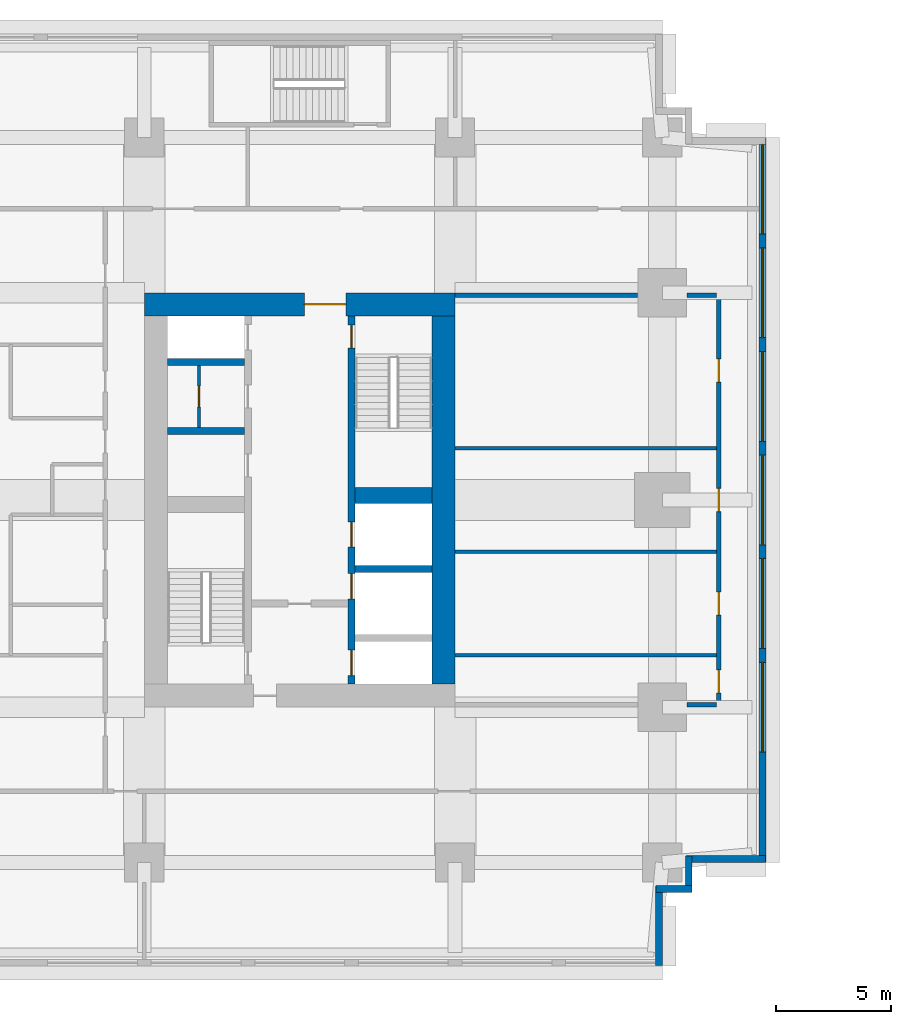
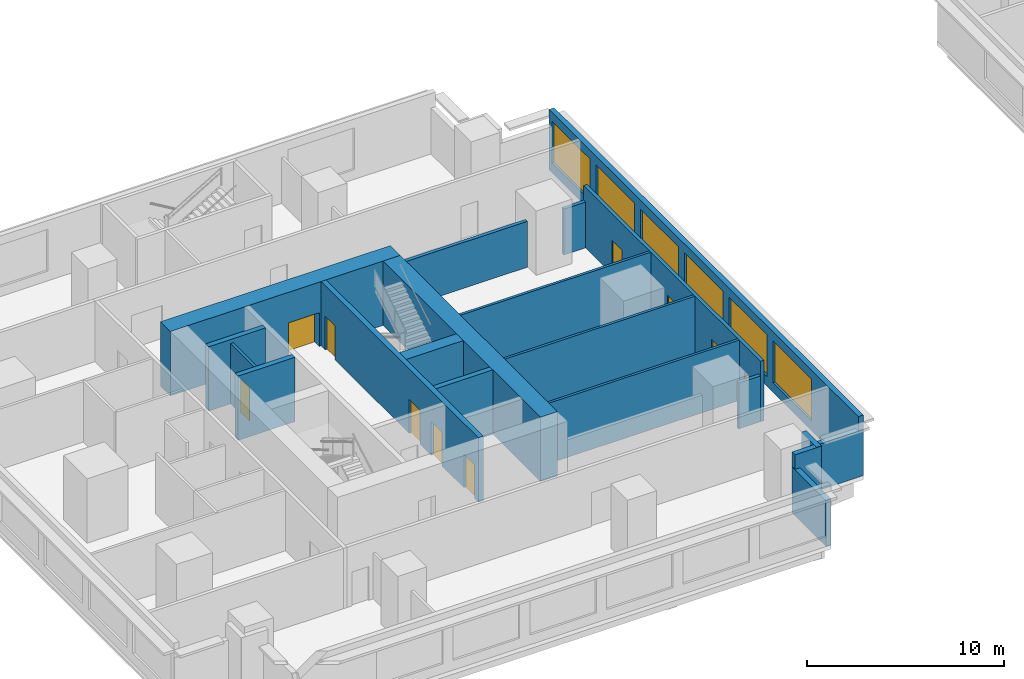
# One storey, part 4 of 10: 20 walls, 10 doors, 6 windows, 16 openings.
"""IFC4 building model written with IfcOpenShell, lengths in metres."""

from ifc_helpers import new_model, si_unit, direction, frame, frame_2d, origin, place, context, subcontext, project, spatial, rectangle, extrude, material, layer, layer_set, type_object, element, fill, save


model = new_model("IFC4")

# Units and contexts
model_context = context("Model", 3, precision=1e-05, world=origin(), true_north=direction((0.0, 1.0)))
body_context = subcontext(model_context, "Body", "Model", "MODEL_VIEW")
ifc_project = project(units=[si_unit("LENGTHUNIT", "METRE"), si_unit("AREAUNIT", "SQUARE_METRE"), si_unit("VOLUMEUNIT", "CUBIC_METRE"), si_unit("PLANEANGLEUNIT", "RADIAN"), si_unit("MASSUNIT", "GRAM", prefix="KILO")], contexts=[model_context])

# Site, building, storey
site_placement = place(None, origin())
site = spatial("IfcSite", under=ifc_project, at=site_placement, CompositionType="ELEMENT")
building_placement = place(site_placement, origin())
building = spatial("IfcBuilding", under=site, at=building_placement, Name="Namib Vertical Campus", CompositionType="ELEMENT")
storey_placement = place(building_placement, frame((0.0, 0.0, 157.0)))
storey = spatial("IfcBuildingStorey", under=building, at=storey_placement, Name="L37", CompositionType="ELEMENT", Elevation=157.0)

# Wall, openings, doors
ifc_material_1 = material(Name="Concrete C60/75", Category="concrete")
ifc_layer_1 = layer(ifc_material_1, 0.300048828125)
ifc_layer_set_1 = layer_set([ifc_layer_1], Name="Concrete C60/75")
wall_type_1 = type_object("IfcWallType", Name="Core inner wall 300", PredefinedType="SHEAR", material=ifc_layer_set_1)
wall_1_placement = place(storey_placement, frame((22.5, 12.25, 0.0), z_axis=(0.0, 0.0, 1.0), x_axis=(0.0, 1.0, 0.0)))
wall_1 = element("IfcWall", 1, at=wall_1_placement, inside=storey, type_object=wall_type_1, Name="Core inner wall A L37 W2", PredefinedType="SHEAR", context=body_context, shape_type="SweptSolid", body=[
    extrude(rectangle(XDim=16.0, YDim=0.300048828125, at=frame_2d((8.0, 0.0))), origin(), (0.0, 0.0, 1.0), 4.0),
])
opening_1_placement = place(wall_1_placement, frame((14.60009765625, 0.0, 0.0)))
opening_1 = element("IfcOpeningElement", 2, at=opening_1_placement, cuts=wall_1, Name="Opening FD1", PredefinedType="OPENING", context=body_context, shape_type="SweptSolid", body=[
    extrude(rectangle(XDim=1.0, YDim=2.10009765625, at=frame_2d((0.5, 1.050048828125))), frame((0.0, 0.159912109375, 0.0), z_axis=(0.0, -1.0, 0.0), x_axis=(1.0, 0.0, 0.0)), (0.0, 0.0, 1.0), 0.320068359375),
])
opening_2_placement = place(wall_1_placement, frame((0.375, 0.0, 0.0)))
opening_2 = element("IfcOpeningElement", 3, at=opening_2_placement, cuts=wall_1, Name="Opening LD1", PredefinedType="OPENING", context=body_context, shape_type="SweptSolid", body=[
    extrude(rectangle(XDim=1.10009765625, YDim=2.10009765625, at=frame_2d((0.550048828125, 1.050048828125))), frame((0.0, 0.159912109375, 0.0), z_axis=(0.0, -1.0, 0.0), x_axis=(1.0, 0.0, 0.0)), (0.0, 0.0, 1.0), 0.320068359375),
])
opening_3_placement = place(wall_1_placement, frame((3.699951171875, 0.0, 0.0)))
opening_3 = element("IfcOpeningElement", 4, at=opening_3_placement, cuts=wall_1, Name="Opening LD1", PredefinedType="OPENING", context=body_context, shape_type="SweptSolid", body=[
    extrude(rectangle(XDim=1.10009765625, YDim=2.10009765625, at=frame_2d((0.550048828125, 1.050048828125))), frame((0.0, 0.159912109375, 0.0), z_axis=(0.0, -1.0, 0.0), x_axis=(1.0, 0.0, 0.0)), (0.0, 0.0, 1.0), 0.320068359375),
])
opening_4_placement = place(wall_1_placement, frame((5.949951171875, 0.0, 0.0)))
opening_4 = element("IfcOpeningElement", 5, at=opening_4_placement, cuts=wall_1, Name="Opening LD1", PredefinedType="OPENING", context=body_context, shape_type="SweptSolid", body=[
    extrude(rectangle(XDim=1.10009765625, YDim=2.10009765625, at=frame_2d((0.550048828125, 1.050048828125))), frame((0.0, 0.159912109375, 0.0), z_axis=(0.0, -1.0, 0.0), x_axis=(1.0, 0.0, 0.0)), (0.0, 0.0, 1.0), 0.320068359375),
])
ifc_material_2 = material(Name="Steel fire door", Category="steel")
door_type_1 = type_object("IfcDoorType", Name="Fire door 1000x2100", OperationType="SINGLE_SWING_RIGHT", PredefinedType="DOOR", material=ifc_material_2)
door_1_placement = place(opening_1_placement, frame((1.0, 0.0, 0.0), z_axis=(0.0, 0.0, 1.0), x_axis=(-1.0, 0.0, 0.0)))
door_1 = element("IfcDoor", 6, at=door_1_placement, inside=storey, type_object=door_type_1, Name="Stair door FD1 A L37 S2", OperationType="SINGLE_SWING_LEFT", OverallHeight=2.10009765625, OverallWidth=1.0, PredefinedType="DOOR", context=body_context, shape_type="SweptSolid", body=[
    extrude(rectangle(XDim=1.0, YDim=2.10009765625, at=frame_2d((0.5, 1.050048828125))), frame((0.0, 0.02490234375, 0.0), z_axis=(0.0, -1.0, 0.0), x_axis=(1.0, 0.0, 0.0)), (0.0, 0.0, 1.0), 0.050048828125),
])
fill(opening_1, door_1)
ifc_material_3 = material(Name="Stainless steel lift door", Category="steel")
door_type_2 = type_object("IfcDoorType", Name="Lift landing door 1100x2100", OperationType="DOUBLE_DOOR_SLIDING", PredefinedType="DOOR", material=ifc_material_3)
door_2_placement = place(opening_2_placement, origin())
door_2 = element("IfcDoor", 7, at=door_2_placement, inside=storey, type_object=door_type_2, Name="Lift landing door LD1 A-FL1 L37", OperationType="DOUBLE_DOOR_SLIDING", OverallHeight=2.10009765625, OverallWidth=1.10009765625, PredefinedType="DOOR", context=body_context, shape_type="SweptSolid", body=[
    extrude(rectangle(XDim=1.10009765625, YDim=2.10009765625, at=frame_2d((0.550048828125, 1.050048828125))), frame((0.0, 0.02490234375, 0.0), z_axis=(0.0, -1.0, 0.0), x_axis=(1.0, 0.0, 0.0)), (0.0, 0.0, 1.0), 0.050048828125),
])
fill(opening_2, door_2)
door_3_placement = place(opening_3_placement, origin())
door_3 = element("IfcDoor", 8, at=door_3_placement, inside=storey, type_object=door_type_2, Name="Lift landing door LD1 A-P4 L37", OperationType="DOUBLE_DOOR_SLIDING", OverallHeight=2.10009765625, OverallWidth=1.10009765625, PredefinedType="DOOR", context=body_context, shape_type="SweptSolid", body=[
    extrude(rectangle(XDim=1.10009765625, YDim=2.10009765625, at=frame_2d((0.550048828125, 1.050048828125))), frame((0.0, 0.02490234375, 0.0), z_axis=(0.0, -1.0, 0.0), x_axis=(1.0, 0.0, 0.0)), (0.0, 0.0, 1.0), 0.050048828125),
])
fill(opening_3, door_3)
door_4_placement = place(opening_4_placement, origin())
door_4 = element("IfcDoor", 9, at=door_4_placement, inside=storey, type_object=door_type_2, Name="Lift landing door LD1 A-P5 L37", OperationType="DOUBLE_DOOR_SLIDING", OverallHeight=2.10009765625, OverallWidth=1.10009765625, PredefinedType="DOOR", context=body_context, shape_type="SweptSolid", body=[
    extrude(rectangle(XDim=1.10009765625, YDim=2.10009765625, at=frame_2d((0.550048828125, 1.050048828125))), frame((0.0, 0.02490234375, 0.0), z_axis=(0.0, -1.0, 0.0), x_axis=(1.0, 0.0, 0.0)), (0.0, 0.0, 1.0), 0.050048828125),
])
fill(opening_4, door_4)

# Walls
for number, where, z_axis, x_axis, name in (
    (10, (22.64990234375, 17.25, 0.0), (0.0, 0.0, 1.0), (1.0, 0.0, 0.0), "Core inner wall A L37 W6"),
    (11, (14.5, 23.25, 0.0), (0.0, 0.0, 1.0), (1.0, 0.0, 0.0), "Core inner wall A L37 W8"),
    (12, (14.5, 26.25, 0.0), (0.0, 0.0, 1.0), (1.0, 0.0, 0.0), "Core inner wall A L37 W9"),
):
    element("IfcWall", number, at=place(storey_placement, frame(where, z_axis=z_axis, x_axis=x_axis)), inside=storey, type_object=wall_type_1, Name=name, PredefinedType="SHEAR", context=body_context, shape_type="SweptSolid", body=[
        extrude(rectangle(XDim=3.35009765625, YDim=0.300048828125, at=frame_2d((1.675048828125, 0.0))), origin(), (0.0, 0.0, 1.0), 4.0),
    ])
ifc_material_4 = material(Name="Concrete C60/75", Category="concrete")
ifc_layer_2 = layer(ifc_material_4, 0.699951171875)
ifc_layer_set_2 = layer_set([ifc_layer_2], Name="Concrete C60/75")
wall_type_2 = type_object("IfcWallType", Name="Core shear wall 700", PredefinedType="SHEAR", material=ifc_layer_set_2)
wall_2_placement = place(storey_placement, frame((22.64990234375, 20.449951171875, 0.0), z_axis=(0.0, 0.0, 1.0), x_axis=(1.0, 0.0, 0.0)))
element("IfcWall", 13, at=wall_2_placement, inside=storey, type_object=wall_type_2, Name="Core shear wall A L37 W7", PredefinedType="SHEAR", context=body_context, shape_type="SweptSolid", body=[
    extrude(rectangle(XDim=3.35009765625, YDim=0.699951171875, at=frame_2d((1.675048828125, 0.0))), origin(), (0.0, 0.0, 1.0), 4.0),
])
ifc_material_5 = material(Name="Concrete C60/75", Category="concrete")
ifc_layer_3 = layer(ifc_material_5, 1.0)
ifc_layer_set_3 = layer_set([ifc_layer_3], Name="Concrete C60/75")
wall_type_3 = type_object("IfcWallType", Name="Core wall 1000", PredefinedType="SHEAR", material=ifc_layer_set_3)
wall_3_placement = place(storey_placement, frame((26.5, 12.25, 0.0), z_axis=(0.0, 0.0, 1.0), x_axis=(0.0, 1.0, 0.0)))
element("IfcWall", 14, at=wall_3_placement, inside=storey, type_object=wall_type_3, Name="Core wall A L37 2", PredefinedType="SHEAR", context=body_context, shape_type="SweptSolid", body=[
    extrude(rectangle(XDim=16.0, YDim=1.0, at=frame_2d((8.0, 0.0))), origin(), (0.0, 0.0, 1.0), 4.0),
])

# Wall, opening, door
wall_4_placement = place(storey_placement, frame((27.0, 28.75, 0.0), z_axis=(0.0, 0.0, 1.0), x_axis=(-1.0, 0.0, 0.0)))
wall_4 = element("IfcWall", 15, at=wall_4_placement, inside=storey, type_object=wall_type_3, Name="Core wall A L37 3", PredefinedType="SHEAR", context=body_context, shape_type="SweptSolid", body=[
    extrude(rectangle(XDim=13.5, YDim=1.0, at=frame_2d((6.75, 0.0))), origin(), (0.0, 0.0, 1.0), 4.0),
])
opening_5_placement = place(wall_4_placement, frame((4.75, 0.0, 0.0)))
opening_5 = element("IfcOpeningElement", 16, at=opening_5_placement, cuts=wall_4, Name="Opening FD2", PredefinedType="OPENING", context=body_context, shape_type="SweptSolid", body=[
    extrude(rectangle(XDim=1.800048828125, YDim=2.10009765625, at=frame_2d((0.89990234375, 1.050048828125))), frame((0.0, 0.510009765625, 0.0), z_axis=(0.0, -1.0, 0.0), x_axis=(1.0, 0.0, 0.0)), (0.0, 0.0, 1.0), 1.02001953125),
])
ifc_material_6 = material(Name="Steel fire door", Category="steel")
door_type_3 = type_object("IfcDoorType", Name="Fire door double 1800x2100", OperationType="DOUBLE_DOOR_SINGLE_SWING", PredefinedType="DOOR", material=ifc_material_6)
door_5_placement = place(opening_5_placement, origin())
door_5 = element("IfcDoor", 17, at=door_5_placement, inside=storey, type_object=door_type_3, Name="Lift lobby door FD2 A L37", OperationType="DOUBLE_DOOR_SINGLE_SWING", OverallHeight=2.10009765625, OverallWidth=1.800048828125, PredefinedType="DOOR", context=body_context, shape_type="SweptSolid", body=[
    extrude(rectangle(XDim=1.800048828125, YDim=2.10009765625, at=frame_2d((0.89990234375, 1.050048828125))), frame((0.0, 0.02490234375, 0.0), z_axis=(0.0, -1.0, 0.0), x_axis=(1.0, 0.0, 0.0)), (0.0, 0.0, 1.0), 0.050048828125),
])
fill(opening_5, door_5)

# Wall, openings, doors
ifc_material_7 = material(Name="Concrete masonry", Category="masonry")
ifc_layer_4 = layer(ifc_material_7, 0.199951171875)
ifc_layer_set_4 = layer_set([ifc_layer_4], Name="Corridor wall 200")
wall_type_4 = type_object("IfcWallType", Name="Corridor wall 200", PredefinedType="SOLIDWALL", material=ifc_layer_set_4)
wall_5_placement = place(storey_placement, frame((38.449951171875, 11.25, 0.0), z_axis=(0.0, 0.0, 1.0), x_axis=(0.0, 1.0, 0.0)))
wall_5 = element("IfcWall", 18, at=wall_5_placement, inside=storey, type_object=wall_type_4, Name="Corridor wall A L37 CG", PredefinedType="SOLIDWALL", context=body_context, shape_type="SweptSolid", body=[
    extrude(rectangle(XDim=18.0, YDim=0.199951171875, at=frame_2d((9.0, 0.0))), origin(), (0.0, 0.0, 1.0), 3.75),
])
opening_6_placement = place(wall_5_placement, frame((0.625, 0.0, 0.0)))
opening_6 = element("IfcOpeningElement", 19, at=opening_6_placement, cuts=wall_5, Name="Opening CD1", PredefinedType="OPENING", context=body_context, shape_type="SweptSolid", body=[
    extrude(rectangle(XDim=1.0, YDim=2.10009765625, at=frame_2d((0.5, 1.050048828125))), frame((0.0, 0.10986328125, 0.0), z_axis=(0.0, -1.0, 0.0), x_axis=(1.0, 0.0, 0.0)), (0.0, 0.0, 1.0), 0.219970703125),
])
opening_7_placement = place(wall_5_placement, frame((4.0, 0.0, 0.0)))
opening_7 = element("IfcOpeningElement", 20, at=opening_7_placement, cuts=wall_5, Name="Opening CD1", PredefinedType="OPENING", context=body_context, shape_type="SweptSolid", body=[
    extrude(rectangle(XDim=1.0, YDim=2.10009765625, at=frame_2d((0.5, 1.050048828125))), frame((0.0, 0.10986328125, 0.0), z_axis=(0.0, -1.0, 0.0), x_axis=(1.0, 0.0, 0.0)), (0.0, 0.0, 1.0), 0.219970703125),
])
opening_8_placement = place(wall_5_placement, frame((8.5, 0.0, 0.0)))
opening_8 = element("IfcOpeningElement", 21, at=opening_8_placement, cuts=wall_5, Name="Opening CD1", PredefinedType="OPENING", context=body_context, shape_type="SweptSolid", body=[
    extrude(rectangle(XDim=1.0, YDim=2.10009765625, at=frame_2d((0.5, 1.050048828125))), frame((0.0, 0.10986328125, 0.0), z_axis=(0.0, -1.0, 0.0), x_axis=(1.0, 0.0, 0.0)), (0.0, 0.0, 1.0), 0.219970703125),
])
opening_9_placement = place(wall_5_placement, frame((14.125, 0.0, 0.0)))
opening_9 = element("IfcOpeningElement", 22, at=opening_9_placement, cuts=wall_5, Name="Opening CD1", PredefinedType="OPENING", context=body_context, shape_type="SweptSolid", body=[
    extrude(rectangle(XDim=1.0, YDim=2.10009765625, at=frame_2d((0.5, 1.050048828125))), frame((0.0, 0.10986328125, 0.0), z_axis=(0.0, -1.0, 0.0), x_axis=(1.0, 0.0, 0.0)), (0.0, 0.0, 1.0), 0.219970703125),
])
ifc_material_8 = material(Name="Timber fire door leaf", Category="wood")
door_type_4 = type_object("IfcDoorType", Name="Corridor door 1000x2100 20 min", OperationType="SINGLE_SWING_LEFT", PredefinedType="DOOR", material=ifc_material_8)
door_6_placement = place(opening_6_placement, origin())
door_6 = element("IfcDoor", 23, at=door_6_placement, inside=storey, type_object=door_type_4, Name="Door CD1 A37-03", OperationType="SINGLE_SWING_LEFT", OverallHeight=2.10009765625, OverallWidth=1.0, PredefinedType="DOOR", context=body_context, shape_type="SweptSolid", body=[
    extrude(rectangle(XDim=1.0, YDim=2.10009765625, at=frame_2d((0.5, 1.050048828125))), frame((0.0, 0.02490234375, 0.0), z_axis=(0.0, -1.0, 0.0), x_axis=(1.0, 0.0, 0.0)), (0.0, 0.0, 1.0), 0.050048828125),
])
fill(opening_6, door_6)
door_7_placement = place(opening_7_placement, origin())
door_7 = element("IfcDoor", 24, at=door_7_placement, inside=storey, type_object=door_type_4, Name="Door CD1 A37-04", OperationType="SINGLE_SWING_LEFT", OverallHeight=2.10009765625, OverallWidth=1.0, PredefinedType="DOOR", context=body_context, shape_type="SweptSolid", body=[
    extrude(rectangle(XDim=1.0, YDim=2.10009765625, at=frame_2d((0.5, 1.050048828125))), frame((0.0, 0.02490234375, 0.0), z_axis=(0.0, -1.0, 0.0), x_axis=(1.0, 0.0, 0.0)), (0.0, 0.0, 1.0), 0.050048828125),
])
fill(opening_7, door_7)
door_8_placement = place(opening_8_placement, origin())
door_8 = element("IfcDoor", 25, at=door_8_placement, inside=storey, type_object=door_type_4, Name="Door CD1 A37-05", OperationType="SINGLE_SWING_LEFT", OverallHeight=2.10009765625, OverallWidth=1.0, PredefinedType="DOOR", context=body_context, shape_type="SweptSolid", body=[
    extrude(rectangle(XDim=1.0, YDim=2.10009765625, at=frame_2d((0.5, 1.050048828125))), frame((0.0, 0.02490234375, 0.0), z_axis=(0.0, -1.0, 0.0), x_axis=(1.0, 0.0, 0.0)), (0.0, 0.0, 1.0), 0.050048828125),
])
fill(opening_8, door_8)
door_9_placement = place(opening_9_placement, origin())
door_9 = element("IfcDoor", 26, at=door_9_placement, inside=storey, type_object=door_type_4, Name="Door CD1 A37-06", OperationType="SINGLE_SWING_LEFT", OverallHeight=2.10009765625, OverallWidth=1.0, PredefinedType="DOOR", context=body_context, shape_type="SweptSolid", body=[
    extrude(rectangle(XDim=1.0, YDim=2.10009765625, at=frame_2d((0.5, 1.050048828125))), frame((0.0, 0.02490234375, 0.0), z_axis=(0.0, -1.0, 0.0), x_axis=(1.0, 0.0, 0.0)), (0.0, 0.0, 1.0), 0.050048828125),
])
fill(opening_9, door_9)

# Walls
wall_6_placement = place(storey_placement, frame((37.070068359375, 11.35009765625, 0.0), z_axis=(0.0, 0.0, 1.0), x_axis=(1.0, 0.0, 0.0)))
element("IfcWall", 27, at=wall_6_placement, inside=storey, type_object=wall_type_4, Name="Corridor wall A L37 GS", PredefinedType="SOLIDWALL", context=body_context, shape_type="SweptSolid", body=[
    extrude(rectangle(XDim=1.280029296875, YDim=0.199951171875, at=frame_2d((0.64013671875, 0.0))), origin(), (0.0, 0.0, 1.0), 2.85009765625),
])
wall_7_placement = place(storey_placement, frame((27.0, 29.14990234375, 0.0), z_axis=(0.0, 0.0, 1.0), x_axis=(1.0, 0.0, 0.0)))
element("IfcWall", 28, at=wall_7_placement, inside=storey, type_object=wall_type_4, Name="Corridor wall A L37 GN", PredefinedType="SOLIDWALL", context=body_context, shape_type="SweptSolid", body=[
    extrude(rectangle(XDim=7.929931640625, YDim=0.199951171875, at=frame_2d((3.96484375, 0.0))), origin(), (0.0, 0.0, 1.0), 2.85009765625),
])
wall_8_placement = place(storey_placement, frame((37.070068359375, 29.14990234375, 0.0), z_axis=(0.0, 0.0, 1.0), x_axis=(1.0, 0.0, 0.0)))
element("IfcWall", 29, at=wall_8_placement, inside=storey, type_object=wall_type_4, Name="Corridor wall A L37 GN", PredefinedType="SOLIDWALL", context=body_context, shape_type="SweptSolid", body=[
    extrude(rectangle(XDim=1.280029296875, YDim=0.199951171875, at=frame_2d((0.64013671875, 0.0))), origin(), (0.0, 0.0, 1.0), 2.85009765625),
])
ifc_material_9 = material(Name="Concrete C40/50", Category="concrete")
ifc_layer_5 = layer(ifc_material_9, 0.300048828125)
ifc_layer_set_5 = layer_set([ifc_layer_5], Name="Concrete C40/50")
wall_type_5 = type_object("IfcWallType", Name="External wall 300 board-marked concrete", PredefinedType="STANDARD", material=ifc_layer_set_5)
wall_9_placement = place(storey_placement, frame((35.85009765625, 0.02001953125, 0.0), z_axis=(0.0, 0.0, 1.0), x_axis=(0.0, 1.0, 0.0)))
element("IfcWall", 30, at=wall_9_placement, inside=storey, type_object=wall_type_5, Name="External wall L37 F02", PredefinedType="STANDARD", context=body_context, shape_type="SweptSolid", body=[
    extrude(rectangle(XDim=3.4599609375, YDim=0.300048828125, at=frame_2d((1.72998046875, 0.0))), origin(), (0.0, 0.0, 1.0), 2.85009765625),
])
for number, where, z_axis, x_axis, name in (
    (31, (35.719970703125, 3.35009765625, 0.0), (0.0, 0.0, 1.0), (1.0, 0.0, 0.0), "External wall L37 F03"),
    (32, (37.14990234375, 3.219970703125, 0.0), (0.0, 0.0, 1.0), (0.0, 1.0, 0.0), "External wall L37 F04"),
):
    element("IfcWall", number, at=place(storey_placement, frame(where, z_axis=z_axis, x_axis=x_axis)), inside=storey, type_object=wall_type_5, Name=name, PredefinedType="STANDARD", context=body_context, shape_type="SweptSolid", body=[
        extrude(rectangle(XDim=1.56005859375, YDim=0.300048828125, at=frame_2d((0.780029296875, 0.0))), origin(), (0.0, 0.0, 1.0), 3.75),
    ])
wall_10_placement = place(storey_placement, frame((37.02001953125, 4.64990234375, 0.0), z_axis=(0.0, 0.0, 1.0), x_axis=(1.0, 0.0, 0.0)))
element("IfcWall", 33, at=wall_10_placement, inside=storey, type_object=wall_type_5, Name="External wall L37 F05", PredefinedType="STANDARD", context=body_context, shape_type="SweptSolid", body=[
    extrude(rectangle(XDim=3.4599609375, YDim=0.300048828125, at=frame_2d((1.72998046875, 0.0))), origin(), (0.0, 0.0, 1.0), 2.85009765625),
])

# Wall, openings, windows
wall_11_placement = place(storey_placement, frame((40.35009765625, 4.52001953125, 0.0), z_axis=(0.0, 0.0, 1.0), x_axis=(0.0, 1.0, 0.0)))
wall_11 = element("IfcWall", 34, at=wall_11_placement, inside=storey, type_object=wall_type_5, Name="External wall L37 F06", PredefinedType="STANDARD", context=body_context, shape_type="SweptSolid", body=[
    extrude(rectangle(XDim=31.4599609375, YDim=0.300048828125, at=frame_2d((15.72998046875, 0.0))), origin(), (0.0, 0.0, 1.0), 3.75),
])
opening_10_placement = place(wall_11_placement, frame((4.780029296875, 0.0, 0.60009765625)))
opening_10 = element("IfcOpeningElement", 35, at=opening_10_placement, cuts=wall_11, Name="Opening W2", PredefinedType="OPENING", context=body_context, shape_type="SweptSolid", body=[
    extrude(rectangle(XDim=3.89990234375, YDim=2.60009765625, at=frame_2d((1.949951171875, 1.300048828125))), frame((0.0, 0.159912109375, 0.0), z_axis=(0.0, -1.0, 0.0), x_axis=(1.0, 0.0, 0.0)), (0.0, 0.0, 1.0), 0.320068359375),
])
opening_11_placement = place(wall_11_placement, frame((9.280029296875, 0.0, 0.60009765625)))
opening_11 = element("IfcOpeningElement", 36, at=opening_11_placement, cuts=wall_11, Name="Opening W2", PredefinedType="OPENING", context=body_context, shape_type="SweptSolid", body=[
    extrude(rectangle(XDim=3.89990234375, YDim=2.60009765625, at=frame_2d((1.949951171875, 1.300048828125))), frame((0.0, 0.159912109375, 0.0), z_axis=(0.0, -1.0, 0.0), x_axis=(1.0, 0.0, 0.0)), (0.0, 0.0, 1.0), 0.320068359375),
])
opening_12_placement = place(wall_11_placement, frame((13.780029296875, 0.0, 0.60009765625)))
opening_12 = element("IfcOpeningElement", 37, at=opening_12_placement, cuts=wall_11, Name="Opening W2", PredefinedType="OPENING", context=body_context, shape_type="SweptSolid", body=[
    extrude(rectangle(XDim=3.89990234375, YDim=2.60009765625, at=frame_2d((1.949951171875, 1.300048828125))), frame((0.0, 0.159912109375, 0.0), z_axis=(0.0, -1.0, 0.0), x_axis=(1.0, 0.0, 0.0)), (0.0, 0.0, 1.0), 0.320068359375),
])
opening_13_placement = place(wall_11_placement, frame((18.280029296875, 0.0, 0.60009765625)))
opening_13 = element("IfcOpeningElement", 38, at=opening_13_placement, cuts=wall_11, Name="Opening W2", PredefinedType="OPENING", context=body_context, shape_type="SweptSolid", body=[
    extrude(rectangle(XDim=3.89990234375, YDim=2.60009765625, at=frame_2d((1.949951171875, 1.300048828125))), frame((0.0, 0.159912109375, 0.0), z_axis=(0.0, -1.0, 0.0), x_axis=(1.0, 0.0, 0.0)), (0.0, 0.0, 1.0), 0.320068359375),
])
opening_14_placement = place(wall_11_placement, frame((22.780029296875, 0.0, 0.60009765625)))
opening_14 = element("IfcOpeningElement", 39, at=opening_14_placement, cuts=wall_11, Name="Opening W2", PredefinedType="OPENING", context=body_context, shape_type="SweptSolid", body=[
    extrude(rectangle(XDim=3.89990234375, YDim=2.60009765625, at=frame_2d((1.949951171875, 1.300048828125))), frame((0.0, 0.159912109375, 0.0), z_axis=(0.0, -1.0, 0.0), x_axis=(1.0, 0.0, 0.0)), (0.0, 0.0, 1.0), 0.320068359375),
])
opening_15_placement = place(wall_11_placement, frame((27.280029296875, 0.0, 0.60009765625)))
opening_15 = element("IfcOpeningElement", 40, at=opening_15_placement, cuts=wall_11, Name="Opening W2", PredefinedType="OPENING", context=body_context, shape_type="SweptSolid", body=[
    extrude(rectangle(XDim=3.89990234375, YDim=2.60009765625, at=frame_2d((1.949951171875, 1.300048828125))), frame((0.0, 0.159912109375, 0.0), z_axis=(0.0, -1.0, 0.0), x_axis=(1.0, 0.0, 0.0)), (0.0, 0.0, 1.0), 0.320068359375),
])
ifc_material_10 = material(Name="Dark tinted glass in black aluminium frame", Category="aluminium")
window_type = type_object("IfcWindowType", Name="Ribbon window 3900x2600", PartitioningType="SINGLE_PANEL", PredefinedType="WINDOW", material=ifc_material_10)
window_1_placement = place(opening_10_placement, origin())
window_1 = element("IfcWindow", 41, at=window_1_placement, inside=storey, type_object=window_type, Name="Window W2 L37 F06-2", OverallHeight=2.60009765625, OverallWidth=3.89990234375, PartitioningType="SINGLE_PANEL", PredefinedType="WINDOW", context=body_context, shape_type="SweptSolid", body=[
    extrude(rectangle(XDim=3.89990234375, YDim=2.60009765625, at=frame_2d((1.949951171875, 1.300048828125))), frame((0.0, 0.030029296875, 0.0), z_axis=(0.0, -1.0, 0.0), x_axis=(1.0, 0.0, 0.0)), (0.0, 0.0, 1.0), 0.06005859375),
])
fill(opening_10, window_1)
window_2_placement = place(opening_11_placement, origin())
window_2 = element("IfcWindow", 42, at=window_2_placement, inside=storey, type_object=window_type, Name="Window W2 L37 F06-3", OverallHeight=2.60009765625, OverallWidth=3.89990234375, PartitioningType="SINGLE_PANEL", PredefinedType="WINDOW", context=body_context, shape_type="SweptSolid", body=[
    extrude(rectangle(XDim=3.89990234375, YDim=2.60009765625, at=frame_2d((1.949951171875, 1.300048828125))), frame((0.0, 0.030029296875, 0.0), z_axis=(0.0, -1.0, 0.0), x_axis=(1.0, 0.0, 0.0)), (0.0, 0.0, 1.0), 0.06005859375),
])
fill(opening_11, window_2)
window_3_placement = place(opening_12_placement, origin())
window_3 = element("IfcWindow", 43, at=window_3_placement, inside=storey, type_object=window_type, Name="Window W2 L37 F06-4", OverallHeight=2.60009765625, OverallWidth=3.89990234375, PartitioningType="SINGLE_PANEL", PredefinedType="WINDOW", context=body_context, shape_type="SweptSolid", body=[
    extrude(rectangle(XDim=3.89990234375, YDim=2.60009765625, at=frame_2d((1.949951171875, 1.300048828125))), frame((0.0, 0.030029296875, 0.0), z_axis=(0.0, -1.0, 0.0), x_axis=(1.0, 0.0, 0.0)), (0.0, 0.0, 1.0), 0.06005859375),
])
fill(opening_12, window_3)
window_4_placement = place(opening_13_placement, origin())
window_4 = element("IfcWindow", 44, at=window_4_placement, inside=storey, type_object=window_type, Name="Window W2 L37 F06-5", OverallHeight=2.60009765625, OverallWidth=3.89990234375, PartitioningType="SINGLE_PANEL", PredefinedType="WINDOW", context=body_context, shape_type="SweptSolid", body=[
    extrude(rectangle(XDim=3.89990234375, YDim=2.60009765625, at=frame_2d((1.949951171875, 1.300048828125))), frame((0.0, 0.030029296875, 0.0), z_axis=(0.0, -1.0, 0.0), x_axis=(1.0, 0.0, 0.0)), (0.0, 0.0, 1.0), 0.06005859375),
])
fill(opening_13, window_4)
window_5_placement = place(opening_14_placement, origin())
window_5 = element("IfcWindow", 45, at=window_5_placement, inside=storey, type_object=window_type, Name="Window W2 L37 F06-6", OverallHeight=2.60009765625, OverallWidth=3.89990234375, PartitioningType="SINGLE_PANEL", PredefinedType="WINDOW", context=body_context, shape_type="SweptSolid", body=[
    extrude(rectangle(XDim=3.89990234375, YDim=2.60009765625, at=frame_2d((1.949951171875, 1.300048828125))), frame((0.0, 0.030029296875, 0.0), z_axis=(0.0, -1.0, 0.0), x_axis=(1.0, 0.0, 0.0)), (0.0, 0.0, 1.0), 0.06005859375),
])
fill(opening_14, window_5)
window_6_placement = place(opening_15_placement, origin())
window_6 = element("IfcWindow", 46, at=window_6_placement, inside=storey, type_object=window_type, Name="Window W2 L37 F06-7", OverallHeight=2.60009765625, OverallWidth=3.89990234375, PartitioningType="SINGLE_PANEL", PredefinedType="WINDOW", context=body_context, shape_type="SweptSolid", body=[
    extrude(rectangle(XDim=3.89990234375, YDim=2.60009765625, at=frame_2d((1.949951171875, 1.300048828125))), frame((0.0, 0.030029296875, 0.0), z_axis=(0.0, -1.0, 0.0), x_axis=(1.0, 0.0, 0.0)), (0.0, 0.0, 1.0), 0.06005859375),
])
fill(opening_15, window_6)

# Wall, opening, door
ifc_material_11 = material(Name="Gypsum board on steel studs", Category="steel")
ifc_layer_6 = layer(ifc_material_11, 0.14990234375)
ifc_layer_set_6 = layer_set([ifc_layer_6], Name="Gypsum board on steel studs")
wall_type_6 = type_object("IfcWallType", Name="Partition 150", PredefinedType="PARTITIONING", material=ifc_layer_set_6)
wall_12_placement = place(storey_placement, frame((15.875, 23.39990234375, 0.0), z_axis=(0.0, 0.0, 1.0), x_axis=(0.0, 1.0, 0.0)))
wall_12 = element("IfcWall", 47, at=wall_12_placement, inside=storey, type_object=wall_type_6, Name="Partition A L37 Store P2 back", PredefinedType="PARTITIONING", context=body_context, shape_type="SweptSolid", body=[
    extrude(rectangle(XDim=2.7001953125, YDim=0.14990234375, at=frame_2d((1.35009765625, 0.0))), origin(), (0.0, 0.0, 1.0), 3.75),
])
opening_16_placement = place(wall_12_placement, frame((0.89990234375, 0.0, 0.0)))
opening_16 = element("IfcOpeningElement", 48, at=opening_16_placement, cuts=wall_12, Name="Opening D3", PredefinedType="OPENING", context=body_context, shape_type="SweptSolid", body=[
    extrude(rectangle(XDim=0.89990234375, YDim=2.10009765625, at=frame_2d((0.449951171875, 1.050048828125))), frame((0.0, 0.0849609375, 0.0), z_axis=(0.0, -1.0, 0.0), x_axis=(1.0, 0.0, 0.0)), (0.0, 0.0, 1.0), 0.169921875),
])
ifc_material_12 = material(Name="Timber door leaf", Category="wood")
door_type_5 = type_object("IfcDoorType", Name="Toilet door 900x2100", OperationType="SINGLE_SWING_LEFT", PredefinedType="DOOR", material=ifc_material_12)
door_10_placement = place(opening_16_placement, origin())
door_10 = element("IfcDoor", 49, at=door_10_placement, inside=storey, type_object=door_type_5, Name="Door D3 Store A L37 P2", OperationType="SINGLE_SWING_LEFT", OverallHeight=2.10009765625, OverallWidth=0.89990234375, PredefinedType="DOOR", context=body_context, shape_type="SweptSolid", body=[
    extrude(rectangle(XDim=0.89990234375, YDim=2.10009765625, at=frame_2d((0.449951171875, 1.050048828125))), frame((0.0, 0.02490234375, 0.0), z_axis=(0.0, -1.0, 0.0), x_axis=(1.0, 0.0, 0.0)), (0.0, 0.0, 1.0), 0.050048828125),
])
fill(opening_16, door_10)

# Walls
for number, where, z_axis, x_axis, name in (
    (50, (27.0, 13.5, 0.0), (0.0, 0.0, 1.0), (1.0, 0.0, 0.0), "Partition A L37 PE1"),
    (51, (27.0, 18.0, 0.0), (0.0, 0.0, 1.0), (1.0, 0.0, 0.0), "Partition A L37 PE2"),
    (52, (27.0, 22.5, 0.0), (0.0, 0.0, 1.0), (1.0, 0.0, 0.0), "Partition A L37 PE3"),
):
    element("IfcWall", number, at=place(storey_placement, frame(where, z_axis=z_axis, x_axis=x_axis)), inside=storey, type_object=wall_type_6, Name=name, PredefinedType="PARTITIONING", context=body_context, shape_type="SweptSolid", body=[
        extrude(rectangle(XDim=11.35009765625, YDim=0.14990234375, at=frame_2d((5.675048828125, 0.0))), origin(), (0.0, 0.0, 1.0), 3.75),
    ])

save(model, "model.ifc")
